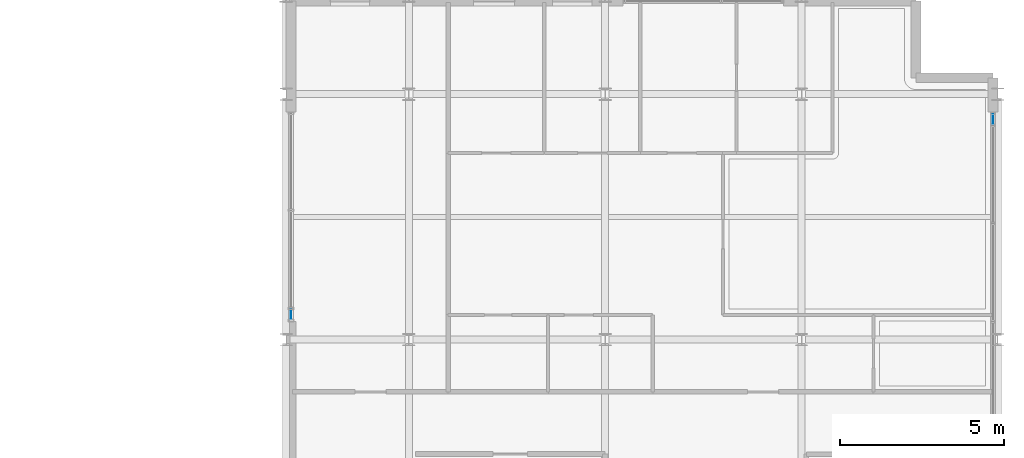
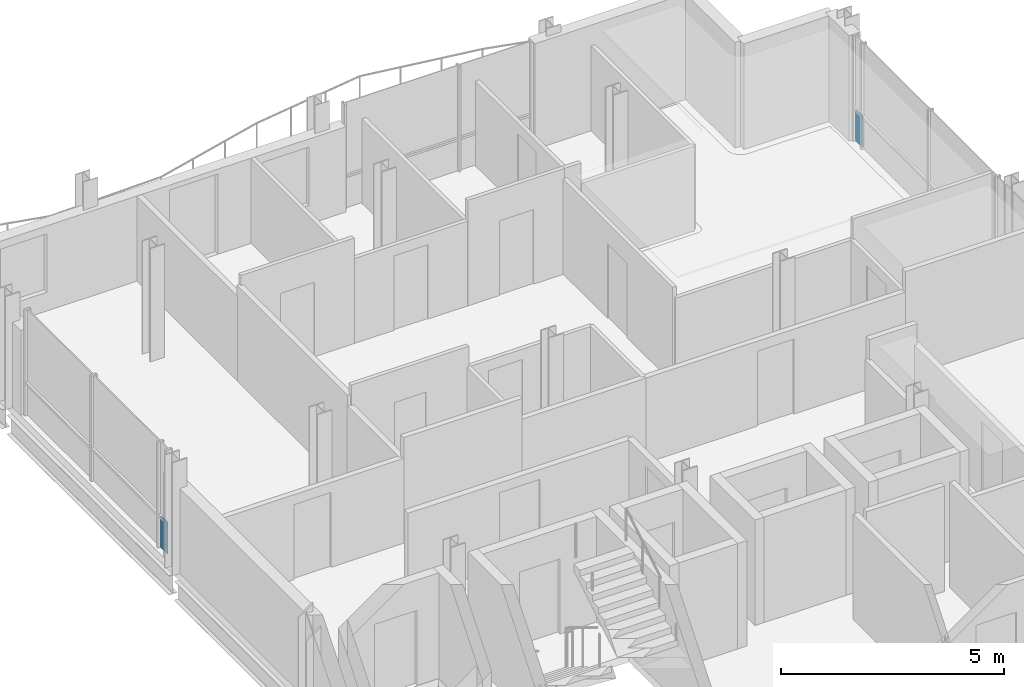
# One storey, part 22 of 29: 2 plates, 2 elements without a shape of their own.
"""IFC4 building model written with IfcOpenShell, lengths in metres."""

import ifcopenshell
import ifcopenshell.guid

model = None  # the IFC model being written
_history = None  # IfcOwnerHistory: only IFC2X3 demands one
_inside = {}  # id of a spatial element -> (the spatial element, [elements in it])
_under = {}  # id of a project, library or spatial element -> (it, [spatial elements below it])
_declared = {}  # id of a project -> (the project, [libraries it declares])
_typed = {}  # id of a type object -> (the type object, [elements of that type])
_made_of = {}  # id of a material, layer set ... -> (it, [elements and type objects made of it])


def new_model(schema):
    """Start an empty IFC model of exactly this schema.

    Asked for "IFC4X3", IfcOpenShell would pick the latest addendum, in which some entities
    have other attributes; the version numbers below select the first issue.
    IFC2X3 requires an IfcOwnerHistory on every rooted entity: one is made here for all.
    """
    global model, _history
    if schema == "IFC4X3":
        model = ifcopenshell.file(schema_version=(4, 3, 0, 0))
    else:
        model = ifcopenshell.file(schema=schema)
    _inside.clear()
    _under.clear()
    _declared.clear()
    _typed.clear()
    _made_of.clear()
    _history = None
    if model.schema == "IFC2X3":
        org = make("IfcOrganization", Name="unknown")
        user = make(
            "IfcPersonAndOrganization",
            ThePerson=make("IfcPerson", FamilyName="unknown"),
            TheOrganization=org,
        )
        app = make(
            "IfcApplication",
            ApplicationDeveloper=org,
            Version="unknown",
            ApplicationFullName="unknown",
            ApplicationIdentifier="unknown",
        )
        _history = make(
            "IfcOwnerHistory",
            OwningUser=user,
            OwningApplication=app,
            ChangeAction="ADDED",
            CreationDate=0,
        )
    return model


def make(cls, **values):
    """One entity of the class cls with the attributes given. An attribute that is None is left unset."""
    return model.create_entity(
        cls, **{name: value for name, value in values.items() if value is not None}
    )


def rooted(cls, **values):
    """An entity with a GlobalId (a new one), such as an element, a storey or a relation."""
    return make(cls, GlobalId=ifcopenshell.guid.new(), OwnerHistory=_history, **values)


def si_unit(unit_type, name, prefix=None):
    """IfcSIUnit, for example si_unit("LENGTHUNIT", "METRE", prefix="MILLI")."""
    return make("IfcSIUnit", UnitType=unit_type, Prefix=prefix, Name=name)


def assignment(units):
    """IfcUnitAssignment: the units of a project."""
    return None if units is None else make("IfcUnitAssignment", Units=units)


def point(xyz):
    """IfcCartesianPoint."""
    return None if xyz is None else make("IfcCartesianPoint", Coordinates=xyz)


def direction(xyz):
    """IfcDirection."""
    return None if xyz is None else make("IfcDirection", DirectionRatios=xyz)


def frame(location, z_axis=None, x_axis=None):
    """IfcAxis2Placement3D, a coordinate frame: its origin and axes. An axis left out is left unset."""
    return make(
        "IfcAxis2Placement3D",
        Location=point(location),
        Axis=direction(z_axis),
        RefDirection=direction(x_axis),
    )


def frame_2d(location, x_axis=None):
    """IfcAxis2Placement2D, a coordinate frame in the plane: its origin and x axis."""
    return make(
        "IfcAxis2Placement2D", Location=point(location), RefDirection=direction(x_axis)
    )


def origin():
    """The frame at (0, 0, 0) with its axes left unset."""
    return frame((0.0, 0.0, 0.0))


def origin_2d():
    """The frame at (0, 0) in the plane with its x axis left unset."""
    return frame_2d((0.0, 0.0))


def place(relative_to, where):
    """IfcLocalPlacement: puts the frame where relative to a parent placement (None: the world)."""
    return make(
        "IfcLocalPlacement", PlacementRelTo=relative_to, RelativePlacement=where
    )


def context(
    kind, dimensions, precision=None, world=None, true_north=None, identifier=None
):
    """IfcGeometricRepresentationContext, for example the 3D "Model" context."""
    return make(
        "IfcGeometricRepresentationContext",
        ContextIdentifier=identifier,
        ContextType=kind,
        CoordinateSpaceDimension=dimensions,
        Precision=precision,
        WorldCoordinateSystem=world,
        TrueNorth=true_north,
    )


def subcontext(parent, identifier, kind, view, scale=None):
    """IfcGeometricRepresentationSubContext, for example "Body" below "Model"."""
    return make(
        "IfcGeometricRepresentationSubContext",
        ContextIdentifier=identifier,
        ContextType=kind,
        ParentContext=parent,
        TargetScale=scale,
        TargetView=view,
    )


def project(units=None, contexts=None):
    """IfcProject with its units and contexts."""
    return rooted(
        "IfcProject",
        Name="project",
        RepresentationContexts=contexts,
        UnitsInContext=assignment(units),
    )


def spatial(cls, under=None, at=None, **own):
    """A site, building, storey or space (cls), placed at a placement, below another one or the project."""
    s = rooted(cls, ObjectPlacement=at, **own)
    if under is not None:
        _under.setdefault(under.id(), (under, []))[1].append(s)
    return s


def profile(cls, at=None, kind="AREA", **sizes):
    """A parametric profile (cls). Its sizes go by their IFC names, for example OverallWidth=200.0."""
    return make(cls, ProfileType=kind, Position=at, **sizes)


def rectangle(**sizes):
    """IfcRectangleProfileDef."""
    return profile("IfcRectangleProfileDef", **sizes)


def extrude(swept, where, along, depth):
    """IfcExtrudedAreaSolid: the profile swept, set in the frame where, extruded along a direction by depth."""
    return make(
        "IfcExtrudedAreaSolid",
        SweptArea=swept,
        Position=where,
        ExtrudedDirection=direction(along),
        Depth=depth,
    )


def shape(context_of_items, identifier, shape_type, items):
    """IfcShapeRepresentation: the items that make up one representation, for example the "Body"."""
    return make(
        "IfcShapeRepresentation",
        ContextOfItems=context_of_items,
        RepresentationIdentifier=identifier,
        RepresentationType=shape_type,
        Items=items,
    )


def material(Name=None, Category=None):
    """IfcMaterial."""
    return make("IfcMaterial", Name=Name, Category=Category)


def layer(
    of_material, thickness, ventilated=None, Name=None, Category=None, Priority=None
):
    """IfcMaterialLayer: one layer of a wall or slab, of a material (None: an air gap)."""
    return make(
        "IfcMaterialLayer",
        Material=of_material,
        LayerThickness=thickness,
        IsVentilated=ventilated,
        Name=Name,
        Category=Category,
        Priority=Priority,
    )


def layer_set(layers, Name=None):
    """IfcMaterialLayerSet."""
    return make("IfcMaterialLayerSet", MaterialLayers=layers, LayerSetName=Name)


def made_of(thing, what):
    """Note that an element or type object is made of a material, layer set ...; save() writes the relation."""
    if what is not None:
        _made_of.setdefault(what.id(), (what, []))[1].append(thing)
    return thing


def type_object(cls, material=None, **own):
    """A type object (cls), such as IfcWallType, which elements share."""
    return made_of(rooted(cls, **own), material)


def element(
    cls,
    number,
    at=None,
    inside=None,
    cuts=None,
    type_object=None,
    material=None,
    context=None,
    identifier="Body",
    shape_type=None,
    held_by="IfcProductDefinitionShape",
    body=None,
    shapes=None,
    **own,
):
    """One element of the class cls, such as IfcWall. Its Tag is "e" and its number.

    at: its placement. inside: the storey or other place that contains it. cuts: it is an
    opening in that element (IfcRelVoidsElement). A single representation is given by context,
    identifier, shape_type and body (its items); several are given by shapes. held_by: the class
    of the entity that holds the representations. save() writes the other relations.
    """
    e = rooted(cls, Tag="e%d" % number, ObjectPlacement=at, **own)
    if body is not None:
        shapes = [shape(context, identifier, shape_type, body)]
    if shapes is not None:
        e.Representation = make(held_by, Representations=shapes)
    if inside is not None:
        _inside.setdefault(inside.id(), (inside, []))[1].append(e)
    if cuts is not None:
        rooted(
            "IfcRelVoidsElement", RelatingBuildingElement=cuts, RelatedOpeningElement=e
        )
    if type_object is not None:
        _typed.setdefault(type_object.id(), (type_object, []))[1].append(e)
    return made_of(e, material)


def aggregate(whole, parts):
    """IfcRelAggregates: a whole, such as a stair, and the parts it consists of."""
    return rooted("IfcRelAggregates", RelatingObject=whole, RelatedObjects=parts)


def save(model, path):
    """Write the relations noted so far, then the file.

    IfcRelAggregates (storeys below a building ...), IfcRelContainedInSpatialStructure (elements
    in a storey), IfcRelDefinesByType, IfcRelAssociatesMaterial and IfcRelDeclares: one each for
    every whole, place, type object, material and project.
    """
    for whole, parts in _under.values():
        aggregate(whole, parts)
    for where, things in _inside.values():
        rooted(
            "IfcRelContainedInSpatialStructure",
            RelatedElements=things,
            RelatingStructure=where,
        )
    for kind, things in _typed.values():
        rooted("IfcRelDefinesByType", RelatedObjects=things, RelatingType=kind)
    for what, things in _made_of.values():
        rooted("IfcRelAssociatesMaterial", RelatedObjects=things, RelatingMaterial=what)
    for by, libraries in _declared.values():
        rooted("IfcRelDeclares", RelatingContext=by, RelatedDefinitions=libraries)
    model.write(path)


model = new_model("IFC4")

# Units and contexts
model_context = context("Model", 3, precision=1e-05, world=origin(), true_north=direction((0.0, 1.0)))
body_context = subcontext(model_context, "Body", "Model", "MODEL_VIEW")
ifc_project = project(units=[si_unit("LENGTHUNIT", "METRE"), si_unit("AREAUNIT", "SQUARE_METRE"), si_unit("VOLUMEUNIT", "CUBIC_METRE"), si_unit("PLANEANGLEUNIT", "RADIAN"), si_unit("MASSUNIT", "GRAM", prefix="KILO")], contexts=[model_context])

# Site, building, storey
site_placement = place(None, origin())
site = spatial("IfcSite", under=ifc_project, at=site_placement, CompositionType="ELEMENT")
building_placement = place(site_placement, origin())
building = spatial("IfcBuilding", under=site, at=building_placement, Name="Brevholm Reach", CompositionType="ELEMENT")
storey_placement = place(building_placement, frame((0.0, 0.0, 208.0)))
storey = spatial("IfcBuildingStorey", under=building, at=storey_placement, Name="L63", CompositionType="ELEMENT", Elevation=208.0)

# Curtain wall, plate
ifc_material_1 = material(Name="Dark Anodised Aluminium 6063-T6 and Solar-Control Glass", Category="aluminium")
ifc_layer_1 = layer(ifc_material_1, 0.1650390625)
ifc_layer_set_1 = layer_set([ifc_layer_1], Name="Dark Anodised Aluminium 6063-T6 and Solar-Control Glass")
curtain_wall_type_1 = type_object("IfcCurtainWallType", Name="CW-04", PredefinedType="NOTDEFINED", material=ifc_layer_set_1)
curtain_wall_1_placement = place(storey_placement, origin())
curtain_wall_1 = element("IfcCurtainWall", 1, at=curtain_wall_1_placement, inside=storey, type_object=curtain_wall_type_1, Name="L63 Curtain Wall CW-04", PredefinedType="NOTDEFINED")
ifc_material_2 = material(Name="Dark Solar-Control Double-Glazed IGU Glass", Category="glass")
ifc_layer_2 = layer(ifc_material_2, 0.028076171875)
ifc_layer_set_2 = layer_set([ifc_layer_2], Name="Dark Solar-Control Double-Glazed IGU Glass")
plate_type = type_object("IfcPlateType", Name="CWP-GLZ-28", PredefinedType="CURTAIN_PANEL", material=ifc_layer_set_2)
plate_1_placement = place(storey_placement, frame((38.39990234375, 16.767578125, 0.0), z_axis=(0.0, 0.0, 1.0), x_axis=(0.0, -1.0, 0.0)))
plate_1 = element("IfcPlate", 2, at=plate_1_placement, type_object=plate_type, Name="CP-01 Glazing Panel 3.1", PredefinedType="CURTAIN_PANEL", context=body_context, shape_type="SweptSolid", body=[
    extrude(rectangle(XDim=0.294921875, YDim=0.028076171875, at=origin_2d()), origin(), (0.0, 0.0, 1.0), 0.864990234375),
])
aggregate(curtain_wall_1, [plate_1])

ifc_material_3 = material(Name="Dark Anodised Aluminium 6063-T6 and Solar-Control Glass", Category="aluminium")
ifc_layer_3 = layer(ifc_material_3, 0.14990234375)
ifc_layer_set_3 = layer_set([ifc_layer_3], Name="Dark Anodised Aluminium 6063-T6 and Solar-Control Glass")
curtain_wall_type_2 = type_object("IfcCurtainWallType", Name="CW-01", PredefinedType="NOTDEFINED", material=ifc_layer_set_3)
curtain_wall_2_placement = place(storey_placement, origin())
curtain_wall_2 = element("IfcCurtainWall", 3, at=curtain_wall_2_placement, inside=storey, type_object=curtain_wall_type_2, Name="L63 Curtain Wall CW-01", PredefinedType="NOTDEFINED")
plate_2_placement = place(storey_placement, frame((59.85009765625, 22.733642578125, 0.0), z_axis=(0.0, 0.0, 1.0), x_axis=(0.0, 1.0, 0.0)))
plate_2 = element("IfcPlate", 4, at=plate_2_placement, type_object=plate_type, Name="CP-01 Glazing Panel 5.1", PredefinedType="CURTAIN_PANEL", context=body_context, shape_type="SweptSolid", body=[
    extrude(rectangle(XDim=0.302490234375, YDim=0.028076171875, at=origin_2d()), origin(), (0.0, 0.0, 1.0), 0.867431640625),
])
aggregate(curtain_wall_2, [plate_2])

save(model, "model.ifc")
